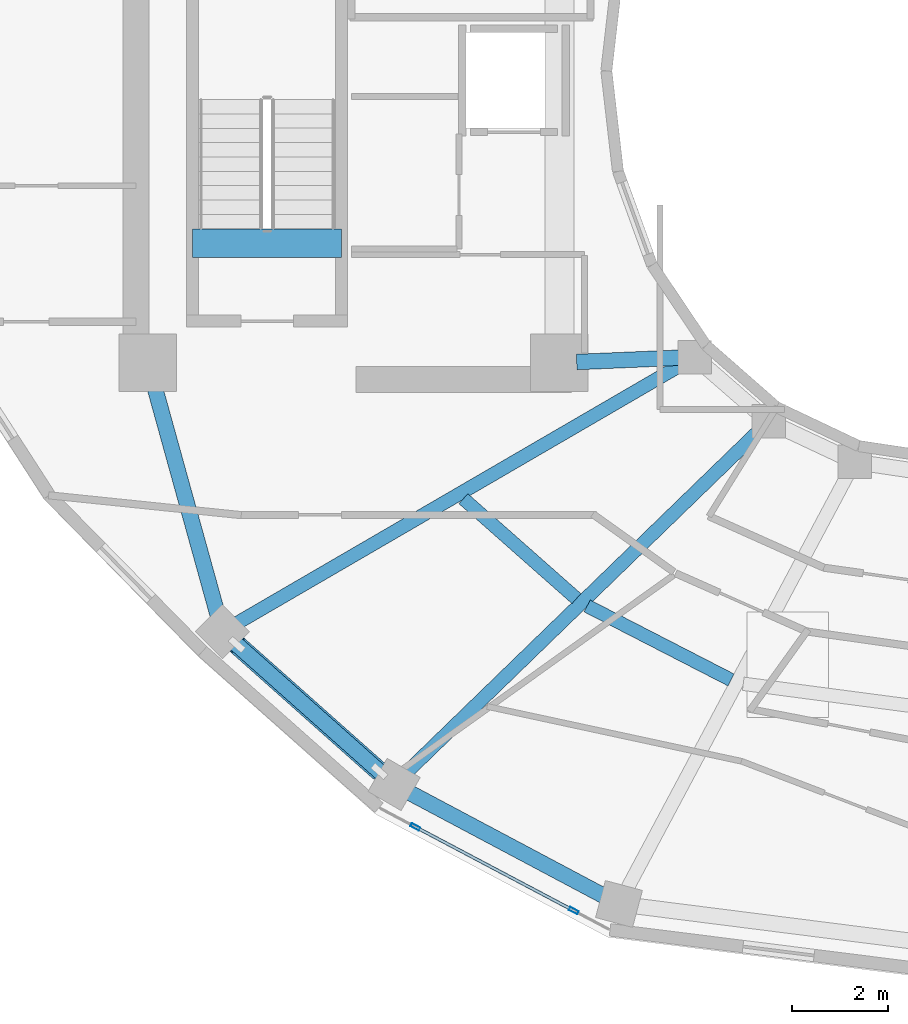
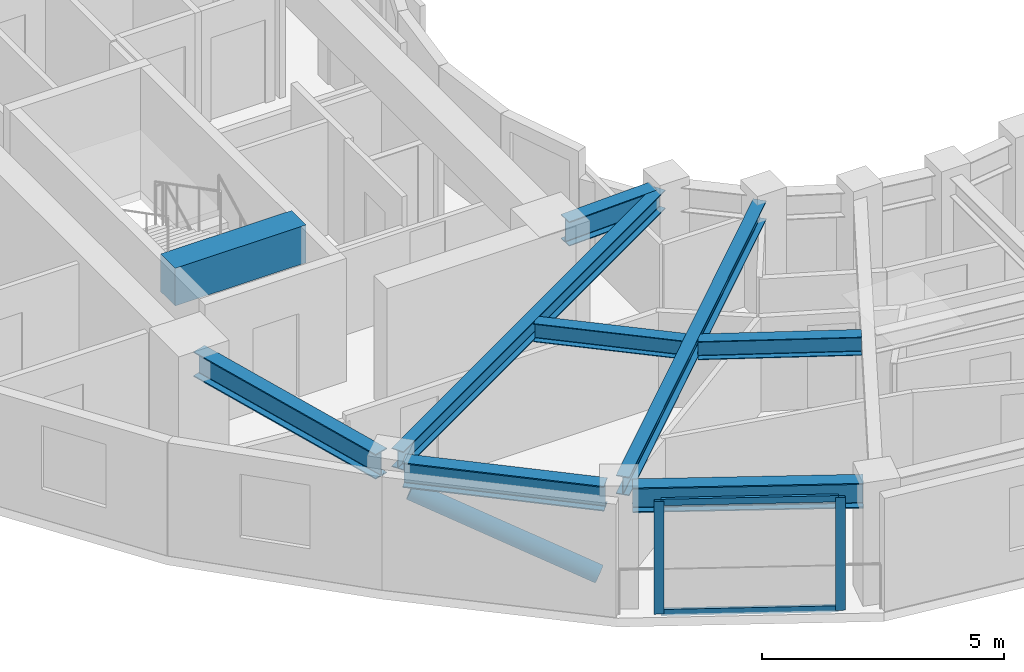
# One storey, part 2 of 16: 9 beams, 5 members, 1 element without a shape of its own.
"""IFC4 building model written with IfcOpenShell, lengths in metres."""

from ifc_helpers import new_model, si_unit, direction, frame, origin, origin_2d, place, context, subcontext, project, spatial, rectangle, hollow_rectangle, hollow_circle, i_section, extrude, material, layer, layer_set, material_profile, profile_set, type_object, element, aggregate, save


model = new_model("IFC4")

# Units and contexts
model_context = context("Model", 3, precision=1e-05, world=origin(), true_north=direction((0.0, 1.0)))
body_context = subcontext(model_context, "Body", "Model", "MODEL_VIEW")
ifc_project = project(units=[si_unit("LENGTHUNIT", "METRE"), si_unit("AREAUNIT", "SQUARE_METRE"), si_unit("VOLUMEUNIT", "CUBIC_METRE"), si_unit("PLANEANGLEUNIT", "RADIAN"), si_unit("MASSUNIT", "GRAM", prefix="KILO")], contexts=[model_context])

# Site, building, storey
site_placement = place(None, origin())
site = spatial("IfcSite", under=ifc_project, at=site_placement, CompositionType="ELEMENT")
building_placement = place(site_placement, origin())
building = spatial("IfcBuilding", under=site, at=building_placement, Name="Solvane Sanctuary Tower", CompositionType="ELEMENT")
storey_placement = place(building_placement, frame((0.0, 0.0, 226.39990234375)))
storey = spatial("IfcBuildingStorey", under=building, at=storey_placement, Name="L69", CompositionType="ELEMENT", Elevation=226.39990234375)

# Beams
ifc_material_1 = material(Name="Concrete C70/85", Category="concrete")
ifc_material_profile_1 = material_profile(ifc_material_1, rectangle(XDim=0.60009765625, YDim=0.949951171875, at=origin_2d()), Name="RC600X950")
ifc_profile_set_1 = profile_set([ifc_material_profile_1], Name="Concrete C70/85")
beam_type_1 = type_object("IfcBeamType", Name="Beam B-COUPLE RC600X950", PredefinedType="LINTEL", material=ifc_profile_set_1)
beam_1_placement = place(storey_placement, frame((16.22998046875, 19.399169921875, 2.625), z_axis=(1.0, 0.0, 0.0), x_axis=(0.0, 1.0, 0.0)))
element("IfcBeam", 1, at=beam_1_placement, inside=storey, type_object=beam_type_1, Name="L69 ST-1 Stair Floor Landing Trimmer", PredefinedType="LINTEL", context=body_context, shape_type="SweptSolid", body=[
    extrude(rectangle(XDim=0.60009765625, YDim=0.949951171875, at=origin_2d()), origin(), (0.0, 0.0, 1.0), 3.1201171875),
])
ifc_material_2 = material(Name="Steel ASTM A992 Grade 50", Category="steel")
ifc_material_profile_2 = material_profile(ifc_material_2, i_section(OverallWidth=0.282958984375, OverallDepth=0.471923828125, WebThickness=0.013671875, FlangeThickness=0.022216796875, FilletRadius=0.013916015625, at=origin_2d()), Name="W18X97")
ifc_profile_set_2 = profile_set([ifc_material_profile_2], Name="Steel ASTM A992 Grade 50")
beam_type_2 = type_object("IfcBeamType", Name="Beam B-RAD-Z4 W18X97", PredefinedType="JOIST", material=ifc_profile_set_2)
beam_2_placement = place(storey_placement, frame((26.48291015625, 16.877197265625, 2.64208984375), z_axis=(-0.864489234729, -0.502651333469, 0.0), x_axis=(0.502651333469, -0.864489234729, 0.0)))
element("IfcBeam", 2, at=beam_2_placement, inside=storey, type_object=beam_type_2, Name="L69 Radial Composite Floor Beam 08", PredefinedType="JOIST", context=body_context, shape_type="SweptSolid", body=[
    extrude(i_section(OverallWidth=0.282958984375, OverallDepth=0.471923828125, WebThickness=0.013671875, FlangeThickness=0.022216796875, FilletRadius=0.013916015625, at=origin_2d()), origin(), (0.0, 0.0, 1.0), 10.85693359375),
])
beam_3_placement = place(storey_placement, frame((28.069091796875, 15.478515625, 2.64208984375), z_axis=(-0.717931503288, -0.69611375262, 0.0), x_axis=(0.69611375262, -0.717931503288, 0.0)))
element("IfcBeam", 3, at=beam_3_placement, inside=storey, type_object=beam_type_2, Name="L69 Radial Composite Floor Beam 09", PredefinedType="JOIST", context=body_context, shape_type="SweptSolid", body=[
    extrude(i_section(OverallWidth=0.282958984375, OverallDepth=0.471923828125, WebThickness=0.013671875, FlangeThickness=0.022216796875, FilletRadius=0.013916015625, at=origin_2d()), origin(), (0.0, 0.0, 1.0), 10.339599609375),
])
ifc_material_profile_3 = material_profile(ifc_material_2, i_section(OverallWidth=0.324951171875, OverallDepth=0.615966796875, WebThickness=0.013916015625, FlangeThickness=0.021484375, FilletRadius=0.01611328125, at=origin_2d()), Name="W24X117")
ifc_profile_set_3 = profile_set([ifc_material_profile_3], Name="Steel ASTM A992 Grade 50")
beam_type_3 = type_object("IfcBeamType", Name="Beam B-RING-IN2 W24X117", PredefinedType="BEAM", material=ifc_profile_set_3)
beam_4_placement = place(storey_placement, frame((24.259765625, 16.9150390625, 2.570068359375), z_axis=(0.999129127803, 0.041725124022, 0.0), x_axis=(-0.041725124022, 0.999129127803, 0.0)))
element("IfcBeam", 4, at=beam_4_placement, inside=storey, type_object=beam_type_3, Name="L69 Inner Light-Well Ring Beam CW2-IC08", PredefinedType="BEAM", context=body_context, shape_type="SweptSolid", body=[
    extrude(i_section(OverallWidth=0.324951171875, OverallDepth=0.615966796875, WebThickness=0.013916015625, FlangeThickness=0.021484375, FilletRadius=0.01611328125, at=origin_2d()), origin(), (0.0, 0.0, 1.0), 2.1474609375),
])
ifc_material_profile_4 = material_profile(ifc_material_2, i_section(OverallWidth=0.280029296875, OverallDepth=0.462890625, WebThickness=0.0107421875, FlangeThickness=0.017333984375, FilletRadius=0.013916015625, at=origin_2d()), Name="W18X76")
ifc_profile_set_4 = profile_set([ifc_material_profile_4], Name="Steel ASTM A992 Grade 50")
beam_type_4 = type_object("IfcBeamType", Name="Beam B-SEC-JOIST W18X76", PredefinedType="JOIST", material=ifc_profile_set_4)
beam_5_placement = place(storey_placement, frame((21.892333984375, 14.05810546875, 2.646484375), z_axis=(0.749354102876, -0.662169486236, 0.0), x_axis=(0.662169486236, 0.749354102876, 0.0)))
element("IfcBeam", 5, at=beam_5_placement, inside=storey, type_object=beam_type_4, Name="L69 Secondary Circumferential Joist 08-09", PredefinedType="JOIST", context=body_context, shape_type="SweptSolid", body=[
    extrude(i_section(OverallWidth=0.280029296875, OverallDepth=0.462890625, WebThickness=0.0107421875, FlangeThickness=0.017333984375, FilletRadius=0.013916015625, at=origin_2d()), origin(), (0.0, 0.0, 1.0), 3.153076171875),
])
beam_6_placement = place(storey_placement, frame((24.47900390625, 11.8173828125, 2.646484375), z_axis=(0.88924080122, -0.4574393921, 0.0), x_axis=(0.4574393921, 0.88924080122, 0.0)))
element("IfcBeam", 6, at=beam_6_placement, inside=storey, type_object=beam_type_4, Name="L69 Secondary Circumferential Joist 09-10", PredefinedType="JOIST", context=body_context, shape_type="SweptSolid", body=[
    extrude(i_section(OverallWidth=0.280029296875, OverallDepth=0.462890625, WebThickness=0.0107421875, FlangeThickness=0.017333984375, FilletRadius=0.013916015625, at=origin_2d()), origin(), (0.0, 0.0, 1.0), 3.380615234375),
])
ifc_material_profile_5 = material_profile(ifc_material_2, i_section(OverallWidth=0.327880859375, OverallDepth=0.6279296875, WebThickness=0.0166015625, FlangeThickness=0.027587890625, FilletRadius=0.01611328125, at=origin_2d()), Name="W24X146")
ifc_profile_set_5 = profile_set([ifc_material_profile_5], Name="Steel ASTM A992 Grade 50")
beam_type_5 = type_object("IfcBeamType", Name="Beam B-SPAND-Z3 W24X146", PredefinedType="SPANDREL", material=ifc_profile_set_5)
beam_7_placement = place(storey_placement, frame((15.374755859375, 16.630126953125, 2.564208984375), z_axis=(0.266650123869, -0.963793396658, 0.0), x_axis=(0.963793396658, 0.266650123869, 0.0)))
element("IfcBeam", 7, at=beam_7_placement, inside=storey, type_object=beam_type_5, Name="L69 Perimeter Spandrel Beam CW1-TC08", PredefinedType="SPANDREL", context=body_context, shape_type="SweptSolid", body=[
    extrude(i_section(OverallWidth=0.327880859375, OverallDepth=0.6279296875, WebThickness=0.0166015625, FlangeThickness=0.027587890625, FilletRadius=0.01611328125, at=origin_2d()), origin(), (0.0, 0.0, 1.0), 5.27197265625),
])
beam_8_placement = place(storey_placement, frame((17.064208984375, 11.093017578125, 2.564208984375), z_axis=(0.747199825189, -0.664599444205, 0.0), x_axis=(0.664599444205, 0.747199825189, 0.0)))
element("IfcBeam", 8, at=beam_8_placement, inside=storey, type_object=beam_type_5, Name="L69 Perimeter Spandrel Beam TC08-TC09", PredefinedType="SPANDREL", context=body_context, shape_type="SweptSolid", body=[
    extrude(i_section(OverallWidth=0.327880859375, OverallDepth=0.6279296875, WebThickness=0.0166015625, FlangeThickness=0.027587890625, FilletRadius=0.01611328125, at=origin_2d()), origin(), (0.0, 0.0, 1.0), 4.244384765625),
])
beam_9_placement = place(storey_placement, frame((20.692138671875, 7.954833984375, 2.564208984375), z_axis=(0.883034715026, -0.46930767313, 0.0), x_axis=(0.46930767313, 0.883034715026, 0.0)))
element("IfcBeam", 9, at=beam_9_placement, inside=storey, type_object=beam_type_5, Name="L69 Perimeter Spandrel Beam TC09-TC10", PredefinedType="SPANDREL", context=body_context, shape_type="SweptSolid", body=[
    extrude(i_section(OverallWidth=0.327880859375, OverallDepth=0.6279296875, WebThickness=0.0166015625, FlangeThickness=0.027587890625, FilletRadius=0.01611328125, at=origin_2d()), origin(), (0.0, 0.0, 1.0), 4.761474609375),
])

# Curtain wall, members
ifc_material_3 = material(Name="Anodised Aluminium 6063-T6", Category="aluminium")
ifc_layer = layer(ifc_material_3, 0.18994140625, Name="Anodised Aluminium 6063-T6")
ifc_layer_set = layer_set([ifc_layer], Name="Anodised Aluminium 6063-T6")
curtain_wall_type = type_object("IfcCurtainWallType", Name="Curtain Wall CW-OPER", PredefinedType="NOTDEFINED", material=ifc_layer_set)
curtain_wall_placement = place(storey_placement, origin())
curtain_wall = element("IfcCurtainWall", 10, at=curtain_wall_placement, inside=storey, type_object=curtain_wall_type, Name="L69 CW-OPER Facade Run 16", PredefinedType="NOTDEFINED")
ifc_material_profile_6 = material_profile(ifc_material_3, hollow_rectangle(XDim=0.074951171875, YDim=0.199951171875, WallThickness=0.00390625, at=origin_2d()), Name="ALU200X75X4")
ifc_profile_set_6 = profile_set([ifc_material_profile_6], Name="Anodised Aluminium 6063-T6")
member_type_1 = type_object("IfcMemberType", Name="Member M-CW-MUL-1 ALU200X75X4", PredefinedType="MULLION", material=ifc_profile_set_6)
member_1_placement = place(storey_placement, frame((20.887939453125, 7.199951171875, 0.0), z_axis=(0.0, 0.0, 1.0), x_axis=(0.467523293544, 0.883980752049, 0.0)))
member_1 = element("IfcMember", 11, at=member_1_placement, type_object=member_type_1, Name="CW-OPER mullion 1", PredefinedType="MULLION", context=body_context, shape_type="SweptSolid", body=[
    extrude(hollow_rectangle(XDim=0.074951171875, YDim=0.199951171875, WallThickness=0.00390625, at=origin_2d()), origin(), (0.0, 0.0, 1.0), 2.840087890625),
])
member_2_placement = place(storey_placement, frame((24.198974609375, 5.448974609375, 0.0), z_axis=(0.0, 0.0, 1.0), x_axis=(0.467523293544, 0.883980752049, 0.0)))
member_2 = element("IfcMember", 12, at=member_2_placement, type_object=member_type_1, Name="CW-OPER mullion 2", PredefinedType="MULLION", context=body_context, shape_type="SweptSolid", body=[
    extrude(hollow_rectangle(XDim=0.074951171875, YDim=0.199951171875, WallThickness=0.00390625, at=origin_2d()), origin(), (0.0, 0.0, 1.0), 2.840087890625),
])
ifc_material_profile_7 = material_profile(ifc_material_3, hollow_rectangle(XDim=0.06494140625, YDim=0.159912109375, WallThickness=0.00341796875, at=origin_2d()), Name="ALU160X65X3.5")
ifc_profile_set_7 = profile_set([ifc_material_profile_7], Name="Anodised Aluminium 6063-T6")
member_type_2 = type_object("IfcMemberType", Name="Member M-CW-TRN-1 ALU160X65X3.5", PredefinedType="USERDEFINED", material=ifc_profile_set_7)
member_3_placement = place(storey_placement, frame((20.921142578125, 7.1826171875, 0.03271484375), z_axis=(0.883977140568, -0.467530121975, 0.0), x_axis=(0.467530121975, 0.883977140568, 0.0)))
member_3 = element("IfcMember", 13, at=member_3_placement, type_object=member_type_2, Name="CW-OPER transom 1.1", ObjectType="TRANSOM", PredefinedType="USERDEFINED", context=body_context, shape_type="SweptSolid", body=[
    extrude(hollow_rectangle(XDim=0.06494140625, YDim=0.159912109375, WallThickness=0.00341796875, at=origin_2d()), origin(), (0.0, 0.0, 1.0), 3.67041015625),
])
member_4_placement = place(storey_placement, frame((20.921142578125, 7.1826171875, 2.8076171875), z_axis=(0.883977140568, -0.467530121975, 0.0), x_axis=(0.467530121975, 0.883977140568, 0.0)))
member_4 = element("IfcMember", 14, at=member_4_placement, type_object=member_type_2, Name="CW-OPER transom 1.2", ObjectType="TRANSOM", PredefinedType="USERDEFINED", context=body_context, shape_type="SweptSolid", body=[
    extrude(hollow_rectangle(XDim=0.06494140625, YDim=0.159912109375, WallThickness=0.00341796875, at=origin_2d()), origin(), (0.0, 0.0, 1.0), 3.67041015625),
])
aggregate(curtain_wall, [member_1, member_2, member_3, member_4])

# Member
ifc_material_profile_8 = material_profile(ifc_material_2, hollow_circle(Radius=0.202880859375, WallThickness=0.012451171875, at=origin_2d()), Name="CHS406X12.5")
ifc_profile_set_8 = profile_set([ifc_material_profile_8], Name="Steel ASTM A992 Grade 50")
member_type_3 = type_object("IfcMemberType", Name="Member M-TUBE-Z3 CHS406X12.5", PredefinedType="BRACE", material=ifc_profile_set_8)
member_5_placement = place(storey_placement, frame((20.1328125, 8.36376953125, 0.542724609375), z_axis=(-0.69629863571, 0.619345335379, 0.362738977025), x_axis=(-0.664611503375, -0.747189098945, 0.0)))
element("IfcMember", 15, at=member_5_placement, inside=storey, type_object=member_type_3, Name="L69 Perimeter Braced-Tube Diagonal SW", PredefinedType="BRACE", context=body_context, shape_type="SweptSolid", body=[
    extrude(hollow_circle(Radius=0.202880859375, WallThickness=0.012451171875, at=origin_2d()), origin(), (0.0, 0.0, 1.0), 4.26708984375),
])

save(model, "model.ifc")
